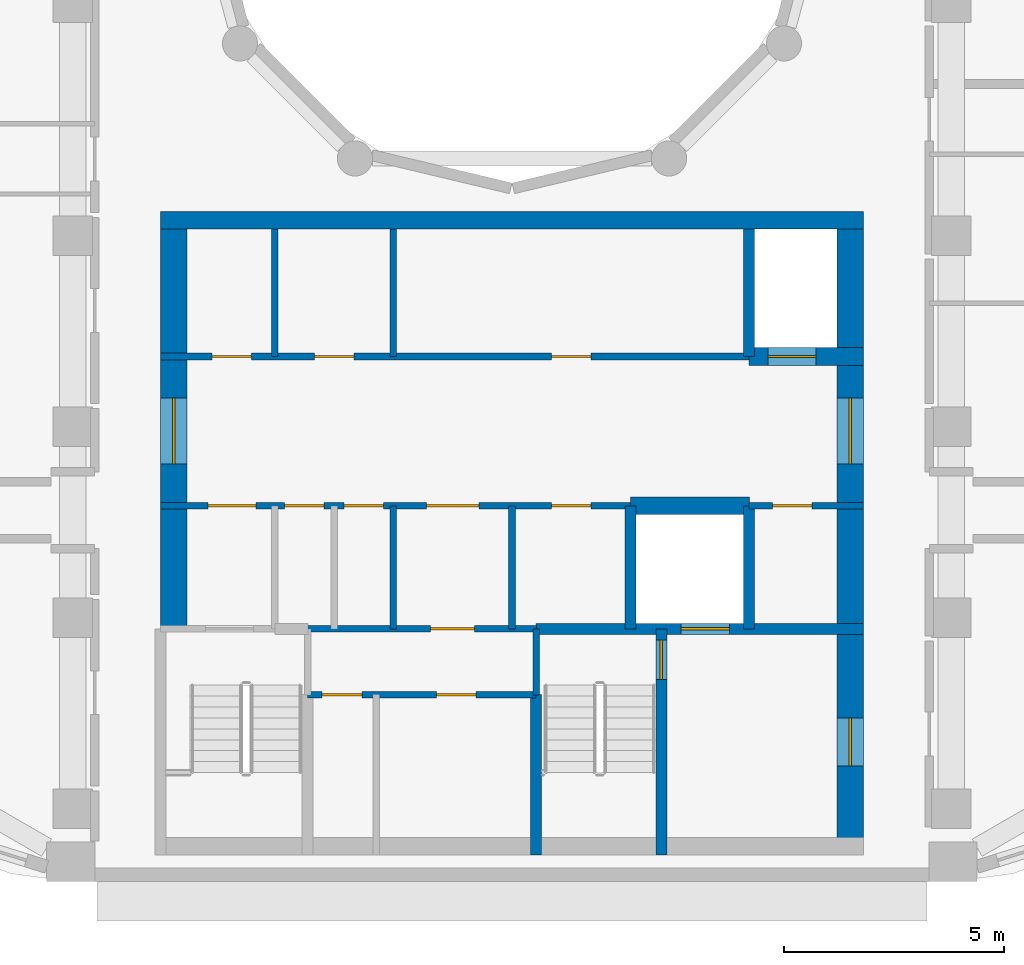
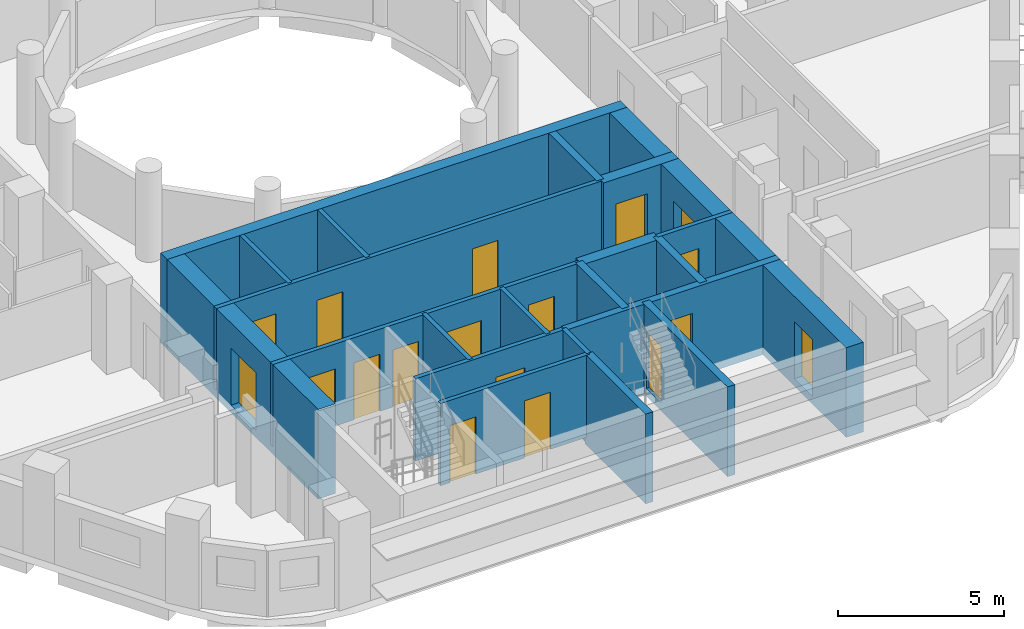
# One storey, part 3 of 14: 21 walls, 18 doors, 18 openings.
"""IFC4 building model written with IfcOpenShell, lengths in metres."""

from ifc_helpers import new_model, si_unit, direction, frame, frame_2d, origin, place, context, subcontext, project, spatial, rectangle, extrude, material, layer, layer_set, type_object, element, fill, save


model = new_model("IFC4")

# Units and contexts
model_context = context("Model", 3, precision=1e-05, world=origin(), true_north=direction((0.0, 1.0)))
body_context = subcontext(model_context, "Body", "Model", "MODEL_VIEW")
ifc_project = project(units=[si_unit("LENGTHUNIT", "METRE"), si_unit("AREAUNIT", "SQUARE_METRE"), si_unit("VOLUMEUNIT", "CUBIC_METRE"), si_unit("PLANEANGLEUNIT", "RADIAN"), si_unit("MASSUNIT", "GRAM", prefix="KILO")], contexts=[model_context])

# Site, building, storey
site_placement = place(None, origin())
site = spatial("IfcSite", under=ifc_project, at=site_placement, CompositionType="ELEMENT")
building_placement = place(site_placement, origin())
building = spatial("IfcBuilding", under=site, at=building_placement, Name="Nakaniwa Court", CompositionType="ELEMENT")
storey_placement = place(building_placement, frame((0.0, 0.0, 262.5)))
storey = spatial("IfcBuildingStorey", under=building, at=storey_placement, Name="L69", CompositionType="ELEMENT", Elevation=262.5)

# Wall
ifc_material_1 = material(Name="Blockwork partition", Category="masonry")
ifc_layer_1 = layer(ifc_material_1, 0.14990234375)
ifc_layer_set_1 = layer_set([ifc_layer_1], Name="Blockwork partition")
wall_type_1 = type_object("IfcWallType", Name="Blockwork partition 150", PredefinedType="PARTITIONING", material=ifc_layer_set_1)
wall_1_placement = place(storey_placement, frame((74.60009765625, 69.300048828125, 0.0), z_axis=(0.0, 0.0, 1.0), x_axis=(0.0, 1.0, 0.0)))
element("IfcWall", 1, at=wall_1_placement, inside=storey, type_object=wall_type_1, Name="Partition PW-030", PredefinedType="PARTITIONING", context=body_context, shape_type="SweptSolid", body=[
    extrude(rectangle(XDim=2.89990234375, YDim=0.14990234375, at=frame_2d((1.449951171875, 0.0))), origin(), (0.0, 0.0, 1.0), 3.02490234375),
])

# Wall, openings, doors
wall_2_placement = place(storey_placement, frame((72.0, 69.300048828125, 0.0), z_axis=(0.0, 0.0, 1.0), x_axis=(1.0, 0.0, 0.0)))
wall_2 = element("IfcWall", 2, at=wall_2_placement, inside=storey, type_object=wall_type_1, Name="Partition PW-031", PredefinedType="PARTITIONING", context=body_context, shape_type="SweptSolid", body=[
    extrude(rectangle(XDim=13.39990234375, YDim=0.14990234375, at=frame_2d((6.699951171875, 0.0))), origin(), (0.0, 0.0, 1.0), 3.02490234375),
])
opening_1_placement = place(wall_2_placement, frame((1.175048828125, 0.0, 0.0)))
opening_1 = element("IfcOpeningElement", 3, at=opening_1_placement, cuts=wall_2, Name="Opening D-05-10", PredefinedType="OPENING", context=body_context, shape_type="SweptSolid", body=[
    extrude(rectangle(XDim=0.89990234375, YDim=2.10009765625, at=frame_2d((0.449951171875, 1.050048828125))), frame((0.0, 0.0849609375, 0.0), z_axis=(0.0, -1.0, 0.0), x_axis=(1.0, 0.0, 0.0)), (0.0, 0.0, 1.0), 0.169921875),
])
opening_2_placement = place(wall_2_placement, frame((3.5, 0.0, 0.0)))
opening_2 = element("IfcOpeningElement", 4, at=opening_2_placement, cuts=wall_2, Name="Opening D-05-11", PredefinedType="OPENING", context=body_context, shape_type="SweptSolid", body=[
    extrude(rectangle(XDim=0.89990234375, YDim=2.10009765625, at=frame_2d((0.449951171875, 1.050048828125))), frame((0.0, 0.0849609375, 0.0), z_axis=(0.0, -1.0, 0.0), x_axis=(1.0, 0.0, 0.0)), (0.0, 0.0, 1.0), 0.169921875),
])
opening_3_placement = place(wall_2_placement, frame((8.89990234375, 0.0, 0.0)))
opening_3 = element("IfcOpeningElement", 5, at=opening_3_placement, cuts=wall_2, Name="Opening D-05-12", PredefinedType="OPENING", context=body_context, shape_type="SweptSolid", body=[
    extrude(rectangle(XDim=0.89990234375, YDim=2.10009765625, at=frame_2d((0.449951171875, 1.050048828125))), frame((0.0, 0.0849609375, 0.0), z_axis=(0.0, -1.0, 0.0), x_axis=(1.0, 0.0, 0.0)), (0.0, 0.0, 1.0), 0.169921875),
])
ifc_material_2 = material(Name="Fire rated steel door set", Category="steel")
door_type_1 = type_object("IfcDoorType", Name="Service room door 900", OperationType="NOTDEFINED", PredefinedType="DOOR", material=ifc_material_2)
door_1_placement = place(opening_1_placement, origin())
door_1 = element("IfcDoor", 6, at=door_1_placement, inside=storey, type_object=door_type_1, Name="Door D-05-10 L69-015", OperationType="SINGLE_SWING_RIGHT", OverallHeight=2.10009765625, OverallWidth=0.89990234375, PredefinedType="DOOR", context=body_context, shape_type="SweptSolid", body=[
    extrude(rectangle(XDim=0.89990234375, YDim=2.10009765625, at=frame_2d((0.449951171875, 1.050048828125))), frame((0.0, 0.02490234375, 0.0), z_axis=(0.0, -1.0, 0.0), x_axis=(1.0, 0.0, 0.0)), (0.0, 0.0, 1.0), 0.050048828125),
])
fill(opening_1, door_1)
door_2_placement = place(opening_2_placement, origin())
door_2 = element("IfcDoor", 7, at=door_2_placement, inside=storey, type_object=door_type_1, Name="Door D-05-11 L69-016", OperationType="SINGLE_SWING_LEFT", OverallHeight=2.10009765625, OverallWidth=0.89990234375, PredefinedType="DOOR", context=body_context, shape_type="SweptSolid", body=[
    extrude(rectangle(XDim=0.89990234375, YDim=2.10009765625, at=frame_2d((0.449951171875, 1.050048828125))), frame((0.0, 0.02490234375, 0.0), z_axis=(0.0, -1.0, 0.0), x_axis=(1.0, 0.0, 0.0)), (0.0, 0.0, 1.0), 0.050048828125),
])
fill(opening_2, door_2)
door_3_placement = place(opening_3_placement, origin())
door_3 = element("IfcDoor", 8, at=door_3_placement, inside=storey, type_object=door_type_1, Name="Door D-05-12 L69-017", OperationType="SINGLE_SWING_RIGHT", OverallHeight=2.10009765625, OverallWidth=0.89990234375, PredefinedType="DOOR", context=body_context, shape_type="SweptSolid", body=[
    extrude(rectangle(XDim=0.89990234375, YDim=2.10009765625, at=frame_2d((0.449951171875, 1.050048828125))), frame((0.0, 0.02490234375, 0.0), z_axis=(0.0, -1.0, 0.0), x_axis=(1.0, 0.0, 0.0)), (0.0, 0.0, 1.0), 0.050048828125),
])
fill(opening_3, door_3)

# Walls
wall_3_placement = place(storey_placement, frame((77.300048828125, 63.10009765625, 0.0), z_axis=(0.0, 0.0, 1.0), x_axis=(0.0, 1.0, 0.0)))
element("IfcWall", 9, at=wall_3_placement, inside=storey, type_object=wall_type_1, Name="Partition PW-037", PredefinedType="PARTITIONING", context=body_context, shape_type="SweptSolid", body=[
    extrude(rectangle(XDim=2.7998046875, YDim=0.14990234375, at=frame_2d((1.39990234375, 0.0))), origin(), (0.0, 0.0, 1.0), 3.02490234375),
])
wall_4_placement = place(storey_placement, frame((77.300048828125, 69.300048828125, 0.0), z_axis=(0.0, 0.0, 1.0), x_axis=(0.0, 1.0, 0.0)))
element("IfcWall", 10, at=wall_4_placement, inside=storey, type_object=wall_type_1, Name="Partition PW-038", PredefinedType="PARTITIONING", context=body_context, shape_type="SweptSolid", body=[
    extrude(rectangle(XDim=2.89990234375, YDim=0.14990234375, at=frame_2d((1.449951171875, 0.0))), origin(), (0.0, 0.0, 1.0), 3.02490234375),
])

# Wall, openings, doors
wall_5_placement = place(storey_placement, frame((82.702880859375, 65.89990234375, 0.0), z_axis=(0.0, 0.0, 1.0), x_axis=(-1.0, 0.0, 0.0)))
wall_5 = element("IfcWall", 11, at=wall_5_placement, inside=storey, type_object=wall_type_1, Name="Partition PW-039", PredefinedType="PARTITIONING", context=body_context, shape_type="SweptSolid", body=[
    extrude(rectangle(XDim=10.702880859375, YDim=0.14990234375, at=frame_2d((5.3515625, 0.0))), origin(), (0.0, 0.0, 1.0), 3.02490234375),
])
opening_4_placement = place(wall_5_placement, frame((8.528076171875, 0.0, 0.0)))
opening_4 = element("IfcOpeningElement", 12, at=opening_4_placement, cuts=wall_5, Name="Opening D-08-02", PredefinedType="OPENING", context=body_context, shape_type="SweptSolid", body=[
    extrude(rectangle(XDim=1.10009765625, YDim=2.10009765625, at=frame_2d((0.550048828125, 1.050048828125))), frame((0.0, 0.0849609375, 0.0), z_axis=(0.0, -1.0, 0.0), x_axis=(1.0, 0.0, 0.0)), (0.0, 0.0, 1.0), 0.169921875),
])
opening_5_placement = place(wall_5_placement, frame((6.97802734375, 0.0, 0.0)))
opening_5 = element("IfcOpeningElement", 13, at=opening_5_placement, cuts=wall_5, Name="Opening D-05-13", PredefinedType="OPENING", context=body_context, shape_type="SweptSolid", body=[
    extrude(rectangle(XDim=0.89990234375, YDim=2.10009765625, at=frame_2d((0.449951171875, 1.050048828125))), frame((0.0, 0.0849609375, 0.0), z_axis=(0.0, -1.0, 0.0), x_axis=(1.0, 0.0, 0.0)), (0.0, 0.0, 1.0), 0.169921875),
])
opening_6_placement = place(wall_5_placement, frame((5.6279296875, 0.0, 0.0)))
opening_6 = element("IfcOpeningElement", 14, at=opening_6_placement, cuts=wall_5, Name="Opening D-05-14", PredefinedType="OPENING", context=body_context, shape_type="SweptSolid", body=[
    extrude(rectangle(XDim=0.89990234375, YDim=2.10009765625, at=frame_2d((0.449951171875, 1.050048828125))), frame((0.0, 0.0849609375, 0.0), z_axis=(0.0, -1.0, 0.0), x_axis=(1.0, 0.0, 0.0)), (0.0, 0.0, 1.0), 0.169921875),
])
opening_7_placement = place(wall_5_placement, frame((3.452880859375, 0.0, 0.0)))
opening_7 = element("IfcOpeningElement", 15, at=opening_7_placement, cuts=wall_5, Name="Opening D-06-02", PredefinedType="OPENING", context=body_context, shape_type="SweptSolid", body=[
    extrude(rectangle(XDim=1.199951171875, YDim=2.10009765625, at=frame_2d((0.60009765625, 1.050048828125))), frame((0.0, 0.0849609375, 0.0), z_axis=(0.0, -1.0, 0.0), x_axis=(1.0, 0.0, 0.0)), (0.0, 0.0, 1.0), 0.169921875),
])
opening_8_placement = place(wall_5_placement, frame((0.903076171875, 0.0, 0.0)))
opening_8 = element("IfcOpeningElement", 16, at=opening_8_placement, cuts=wall_5, Name="Opening D-05-15", PredefinedType="OPENING", context=body_context, shape_type="SweptSolid", body=[
    extrude(rectangle(XDim=0.89990234375, YDim=2.10009765625, at=frame_2d((0.449951171875, 1.050048828125))), frame((0.0, 0.0849609375, 0.0), z_axis=(0.0, -1.0, 0.0), x_axis=(1.0, 0.0, 0.0)), (0.0, 0.0, 1.0), 0.169921875),
])
ifc_material_3 = material(Name="Fire rated steel double door set", Category="steel")
door_type_2 = type_object("IfcDoorType", Name="Service passage double door 1200", OperationType="NOTDEFINED", PredefinedType="DOOR", material=ifc_material_3)
door_4_placement = place(opening_7_placement, origin())
door_4 = element("IfcDoor", 17, at=door_4_placement, inside=storey, type_object=door_type_2, Name="Door D-06-02 L69-021", OperationType="DOUBLE_DOOR_SINGLE_SWING", OverallHeight=2.10009765625, OverallWidth=1.199951171875, PredefinedType="DOOR", context=body_context, shape_type="SweptSolid", body=[
    extrude(rectangle(XDim=1.199951171875, YDim=2.10009765625, at=frame_2d((0.60009765625, 1.050048828125))), frame((0.0, 0.02490234375, 0.0), z_axis=(0.0, -1.0, 0.0), x_axis=(1.0, 0.0, 0.0)), (0.0, 0.0, 1.0), 0.050048828125),
])
fill(opening_7, door_4)
door_5_placement = place(opening_5_placement, origin())
door_5 = element("IfcDoor", 18, at=door_5_placement, inside=storey, type_object=door_type_1, Name="Door D-05-13 L69-019", OperationType="SINGLE_SWING_RIGHT", OverallHeight=2.10009765625, OverallWidth=0.89990234375, PredefinedType="DOOR", context=body_context, shape_type="SweptSolid", body=[
    extrude(rectangle(XDim=0.89990234375, YDim=2.10009765625, at=frame_2d((0.449951171875, 1.050048828125))), frame((0.0, 0.02490234375, 0.0), z_axis=(0.0, -1.0, 0.0), x_axis=(1.0, 0.0, 0.0)), (0.0, 0.0, 1.0), 0.050048828125),
])
fill(opening_5, door_5)
door_6_placement = place(opening_6_placement, origin())
door_6 = element("IfcDoor", 19, at=door_6_placement, inside=storey, type_object=door_type_1, Name="Door D-05-14 L69-020", OperationType="SINGLE_SWING_LEFT", OverallHeight=2.10009765625, OverallWidth=0.89990234375, PredefinedType="DOOR", context=body_context, shape_type="SweptSolid", body=[
    extrude(rectangle(XDim=0.89990234375, YDim=2.10009765625, at=frame_2d((0.449951171875, 1.050048828125))), frame((0.0, 0.02490234375, 0.0), z_axis=(0.0, -1.0, 0.0), x_axis=(1.0, 0.0, 0.0)), (0.0, 0.0, 1.0), 0.050048828125),
])
fill(opening_6, door_6)
door_7_placement = place(opening_8_placement, origin())
door_7 = element("IfcDoor", 20, at=door_7_placement, inside=storey, type_object=door_type_1, Name="Door D-05-15 L69-022", OperationType="SINGLE_SWING_LEFT", OverallHeight=2.10009765625, OverallWidth=0.89990234375, PredefinedType="DOOR", context=body_context, shape_type="SweptSolid", body=[
    extrude(rectangle(XDim=0.89990234375, YDim=2.10009765625, at=frame_2d((0.449951171875, 1.050048828125))), frame((0.0, 0.02490234375, 0.0), z_axis=(0.0, -1.0, 0.0), x_axis=(1.0, 0.0, 0.0)), (0.0, 0.0, 1.0), 0.050048828125),
])
fill(opening_8, door_7)
door_type_3 = type_object("IfcDoorType", Name="Stair lobby door 1100", OperationType="NOTDEFINED", PredefinedType="DOOR", material=ifc_material_2)
door_8_placement = place(opening_4_placement, origin())
door_8 = element("IfcDoor", 21, at=door_8_placement, inside=storey, type_object=door_type_3, Name="Door D-08-02 L69-018", OperationType="SINGLE_SWING_LEFT", OverallHeight=2.10009765625, OverallWidth=1.10009765625, PredefinedType="DOOR", context=body_context, shape_type="SweptSolid", body=[
    extrude(rectangle(XDim=1.10009765625, YDim=2.10009765625, at=frame_2d((0.550048828125, 1.050048828125))), frame((0.0, 0.02490234375, 0.0), z_axis=(0.0, -1.0, 0.0), x_axis=(1.0, 0.0, 0.0)), (0.0, 0.0, 1.0), 0.050048828125),
])
fill(opening_4, door_8)

# Wall, opening, door
wall_6_placement = place(storey_placement, frame((88.0, 65.89990234375, 0.0), z_axis=(0.0, 0.0, 1.0), x_axis=(-1.0, 0.0, 0.0)))
wall_6 = element("IfcWall", 22, at=wall_6_placement, inside=storey, type_object=wall_type_1, Name="Partition PW-040", PredefinedType="PARTITIONING", context=body_context, shape_type="SweptSolid", body=[
    extrude(rectangle(XDim=2.60302734375, YDim=0.14990234375, at=frame_2d((1.301513671875, 0.0))), origin(), (0.0, 0.0, 1.0), 3.02490234375),
])
opening_9_placement = place(wall_6_placement, frame((1.175048828125, 0.0, 0.0)))
opening_9 = element("IfcOpeningElement", 23, at=opening_9_placement, cuts=wall_6, Name="Opening D-05-16", PredefinedType="OPENING", context=body_context, shape_type="SweptSolid", body=[
    extrude(rectangle(XDim=0.89990234375, YDim=2.10009765625, at=frame_2d((0.449951171875, 1.050048828125))), frame((0.0, 0.0849609375, 0.0), z_axis=(0.0, -1.0, 0.0), x_axis=(1.0, 0.0, 0.0)), (0.0, 0.0, 1.0), 0.169921875),
])
door_9_placement = place(opening_9_placement, origin())
door_9 = element("IfcDoor", 24, at=door_9_placement, inside=storey, type_object=door_type_1, Name="Door D-05-16 L69-023", OperationType="SINGLE_SWING_RIGHT", OverallHeight=2.10009765625, OverallWidth=0.89990234375, PredefinedType="DOOR", context=body_context, shape_type="SweptSolid", body=[
    extrude(rectangle(XDim=0.89990234375, YDim=2.10009765625, at=frame_2d((0.449951171875, 1.050048828125))), frame((0.0, 0.02490234375, 0.0), z_axis=(0.0, -1.0, 0.0), x_axis=(1.0, 0.0, 0.0)), (0.0, 0.0, 1.0), 0.050048828125),
])
fill(opening_9, door_9)

wall_7_placement = place(storey_placement, frame((80.552978515625, 63.10009765625, 0.0), z_axis=(0.0, 0.0, 1.0), x_axis=(-1.0, 0.0, 0.0)))
wall_7 = element("IfcWall", 25, at=wall_7_placement, inside=storey, type_object=wall_type_1, Name="Partition PW-046", PredefinedType="PARTITIONING", context=body_context, shape_type="SweptSolid", body=[
    extrude(rectangle(XDim=5.2060546875, YDim=0.14990234375, at=frame_2d((2.60302734375, 0.0))), origin(), (0.0, 0.0, 1.0), 3.02490234375),
])
opening_10_placement = place(wall_7_placement, frame((1.403076171875, 0.0, 0.0)))
opening_10 = element("IfcOpeningElement", 26, at=opening_10_placement, cuts=wall_7, Name="Opening D-23-02", PredefinedType="OPENING", context=body_context, shape_type="SweptSolid", body=[
    extrude(rectangle(XDim=1.0, YDim=2.10009765625, at=frame_2d((0.5, 1.050048828125))), frame((0.0, 0.0849609375, 0.0), z_axis=(0.0, -1.0, 0.0), x_axis=(1.0, 0.0, 0.0)), (0.0, 0.0, 1.0), 0.169921875),
])
door_type_4 = type_object("IfcDoorType", Name="Service room door 1000", OperationType="NOTDEFINED", PredefinedType="DOOR", material=ifc_material_2)
door_10_placement = place(opening_10_placement, origin())
door_10 = element("IfcDoor", 27, at=door_10_placement, inside=storey, type_object=door_type_4, Name="Door D-23-02 L69-024", OperationType="SINGLE_SWING_LEFT", OverallHeight=2.10009765625, OverallWidth=1.0, PredefinedType="DOOR", context=body_context, shape_type="SweptSolid", body=[
    extrude(rectangle(XDim=1.0, YDim=2.10009765625, at=frame_2d((0.5, 1.050048828125))), frame((0.0, 0.02490234375, 0.0), z_axis=(0.0, -1.0, 0.0), x_axis=(1.0, 0.0, 0.0)), (0.0, 0.0, 1.0), 0.050048828125),
])
fill(opening_10, door_10)

# Wall
wall_8_placement = place(storey_placement, frame((80.0, 63.10009765625, 0.0), z_axis=(0.0, 0.0, 1.0), x_axis=(0.0, 1.0, 0.0)))
element("IfcWall", 28, at=wall_8_placement, inside=storey, type_object=wall_type_1, Name="Partition PW-047", PredefinedType="PARTITIONING", context=body_context, shape_type="SweptSolid", body=[
    extrude(rectangle(XDim=2.7998046875, YDim=0.14990234375, at=frame_2d((1.39990234375, 0.0))), origin(), (0.0, 0.0, 1.0), 3.02490234375),
])

# Wall, openings, doors
wall_9_placement = place(storey_placement, frame((80.550048828125, 61.60009765625, 0.0), z_axis=(0.0, 0.0, 1.0), x_axis=(-1.0, 0.0, 0.0)))
wall_9 = element("IfcWall", 29, at=wall_9_placement, inside=storey, type_object=wall_type_1, Name="Partition PW-055", PredefinedType="PARTITIONING", context=body_context, shape_type="SweptSolid", body=[
    extrude(rectangle(XDim=5.199951171875, YDim=0.14990234375, at=frame_2d((2.60009765625, 0.0))), origin(), (0.0, 0.0, 1.0), 3.02490234375),
])
opening_11_placement = place(wall_9_placement, frame((3.969970703125, 0.0, 0.0)))
opening_11 = element("IfcOpeningElement", 30, at=opening_11_placement, cuts=wall_9, Name="Opening D-05-17", PredefinedType="OPENING", context=body_context, shape_type="SweptSolid", body=[
    extrude(rectangle(XDim=0.89990234375, YDim=2.10009765625, at=frame_2d((0.449951171875, 1.050048828125))), frame((0.0, 0.0849609375, 0.0), z_axis=(0.0, -1.0, 0.0), x_axis=(1.0, 0.0, 0.0)), (0.0, 0.0, 1.0), 0.169921875),
])
opening_12_placement = place(wall_9_placement, frame((1.3701171875, 0.0, 0.0)))
opening_12 = element("IfcOpeningElement", 31, at=opening_12_placement, cuts=wall_9, Name="Opening D-05-18", PredefinedType="OPENING", context=body_context, shape_type="SweptSolid", body=[
    extrude(rectangle(XDim=0.89990234375, YDim=2.10009765625, at=frame_2d((0.449951171875, 1.050048828125))), frame((0.0, 0.0849609375, 0.0), z_axis=(0.0, -1.0, 0.0), x_axis=(1.0, 0.0, 0.0)), (0.0, 0.0, 1.0), 0.169921875),
])
door_11_placement = place(opening_11_placement, origin())
door_11 = element("IfcDoor", 32, at=door_11_placement, inside=storey, type_object=door_type_1, Name="Door D-05-17 L69-025", OperationType="SINGLE_SWING_RIGHT", OverallHeight=2.10009765625, OverallWidth=0.89990234375, PredefinedType="DOOR", context=body_context, shape_type="SweptSolid", body=[
    extrude(rectangle(XDim=0.89990234375, YDim=2.10009765625, at=frame_2d((0.449951171875, 1.050048828125))), frame((0.0, 0.02490234375, 0.0), z_axis=(0.0, -1.0, 0.0), x_axis=(1.0, 0.0, 0.0)), (0.0, 0.0, 1.0), 0.050048828125),
])
fill(opening_11, door_11)
door_12_placement = place(opening_12_placement, origin())
door_12 = element("IfcDoor", 33, at=door_12_placement, inside=storey, type_object=door_type_1, Name="Door D-05-18 L69-026", OperationType="SINGLE_SWING_LEFT", OverallHeight=2.10009765625, OverallWidth=0.89990234375, PredefinedType="DOOR", context=body_context, shape_type="SweptSolid", body=[
    extrude(rectangle(XDim=0.89990234375, YDim=2.10009765625, at=frame_2d((0.449951171875, 1.050048828125))), frame((0.0, 0.02490234375, 0.0), z_axis=(0.0, -1.0, 0.0), x_axis=(1.0, 0.0, 0.0)), (0.0, 0.0, 1.0), 0.050048828125),
])
fill(opening_12, door_12)

# Wall, opening, door
ifc_material_4 = material(Name="Concrete C80/100", Category="concrete")
ifc_layer_2 = layer(ifc_material_4, 0.60009765625)
ifc_layer_set_2 = layer_set([ifc_layer_2], Name="Concrete C80/100")
wall_type_2 = type_object("IfcWallType", Name="Concrete core side wall 600 C80", PredefinedType="SHEAR", material=ifc_layer_set_2)
wall_10_placement = place(storey_placement, frame((72.300048828125, 63.10009765625, -0.27490234375), z_axis=(0.0, 0.0, 1.0), x_axis=(0.0, 1.0, 0.0)))
wall_10 = element("IfcWall", 34, at=wall_10_placement, inside=storey, type_object=wall_type_2, Name="Core wall SW-32", PredefinedType="SHEAR", context=body_context, shape_type="SweptSolid", body=[
    extrude(rectangle(XDim=9.099853515625, YDim=0.60009765625, at=frame_2d((4.5498046875, 0.0))), origin(), (0.0, 0.0, 1.0), 3.2998046875),
])
opening_13_placement = place(wall_10_placement, frame((3.75, 0.0, 0.27490234375)))
opening_13 = element("IfcOpeningElement", 35, at=opening_13_placement, cuts=wall_10, Name="Opening D-07-04", PredefinedType="OPENING", context=body_context, shape_type="SweptSolid", body=[
    extrude(rectangle(XDim=1.5, YDim=2.10009765625, at=frame_2d((0.75, 1.050048828125))), frame((0.0, 0.31005859375, 0.0), z_axis=(0.0, -1.0, 0.0), x_axis=(1.0, 0.0, 0.0)), (0.0, 0.0, 1.0), 0.6201171875),
])
ifc_material_5 = material(Name="Glazed fire rated steel double door set", Category="steel")
door_type_5 = type_object("IfcDoorType", Name="Lobby double door 1500", OperationType="NOTDEFINED", PredefinedType="DOOR", material=ifc_material_5)
door_13_placement = place(opening_13_placement, origin())
door_13 = element("IfcDoor", 36, at=door_13_placement, inside=storey, type_object=door_type_5, Name="Door D-07-04 L69-063", OperationType="DOUBLE_DOOR_SINGLE_SWING", OverallHeight=2.10009765625, OverallWidth=1.5, PredefinedType="DOOR", context=body_context, shape_type="SweptSolid", body=[
    extrude(rectangle(XDim=1.5, YDim=2.10009765625, at=frame_2d((0.75, 1.050048828125))), frame((0.0, 0.02490234375, 0.0), z_axis=(0.0, -1.0, 0.0), x_axis=(1.0, 0.0, 0.0)), (0.0, 0.0, 1.0), 0.050048828125),
])
fill(opening_13, door_13)

# Wall, openings, doors
wall_11_placement = place(storey_placement, frame((87.699951171875, 72.199951171875, -0.27490234375), z_axis=(0.0, 0.0, 1.0), x_axis=(0.0, -1.0, 0.0)))
wall_11 = element("IfcWall", 37, at=wall_11_placement, inside=storey, type_object=wall_type_2, Name="Core wall SW-36", PredefinedType="SHEAR", context=body_context, shape_type="SweptSolid", body=[
    extrude(rectangle(XDim=14.25, YDim=0.60009765625, at=frame_2d((7.125, 0.0))), origin(), (0.0, 0.0, 1.0), 3.2998046875),
])
opening_14_placement = place(wall_11_placement, frame((3.85009765625, 0.0, 0.27490234375)))
opening_14 = element("IfcOpeningElement", 38, at=opening_14_placement, cuts=wall_11, Name="Opening D-07-03", PredefinedType="OPENING", context=body_context, shape_type="SweptSolid", body=[
    extrude(rectangle(XDim=1.5, YDim=2.10009765625, at=frame_2d((0.75, 1.050048828125))), frame((0.0, 0.31005859375, 0.0), z_axis=(0.0, -1.0, 0.0), x_axis=(1.0, 0.0, 0.0)), (0.0, 0.0, 1.0), 0.6201171875),
])
opening_15_placement = place(wall_11_placement, frame((11.125, 0.0, 0.27490234375)))
opening_15 = element("IfcOpeningElement", 39, at=opening_15_placement, cuts=wall_11, Name="Opening D-10-02", PredefinedType="OPENING", context=body_context, shape_type="SweptSolid", body=[
    extrude(rectangle(XDim=1.10009765625, YDim=2.10009765625, at=frame_2d((0.550048828125, 1.050048828125))), frame((0.0, 0.31005859375, 0.0), z_axis=(0.0, -1.0, 0.0), x_axis=(1.0, 0.0, 0.0)), (0.0, 0.0, 1.0), 0.6201171875),
])
door_type_6 = type_object("IfcDoorType", Name="Firefighting lobby door 1100", OperationType="NOTDEFINED", PredefinedType="DOOR", material=ifc_material_2)
door_14_placement = place(opening_15_placement, origin())
door_14 = element("IfcDoor", 40, at=door_14_placement, inside=storey, type_object=door_type_6, Name="Door D-10-02 L69-064", OperationType="SINGLE_SWING_LEFT", OverallHeight=2.10009765625, OverallWidth=1.10009765625, PredefinedType="DOOR", context=body_context, shape_type="SweptSolid", body=[
    extrude(rectangle(XDim=1.10009765625, YDim=2.10009765625, at=frame_2d((0.550048828125, 1.050048828125))), frame((0.0, 0.02490234375, 0.0), z_axis=(0.0, -1.0, 0.0), x_axis=(1.0, 0.0, 0.0)), (0.0, 0.0, 1.0), 0.050048828125),
])
fill(opening_15, door_14)
door_15_placement = place(opening_14_placement, origin())
door_15 = element("IfcDoor", 41, at=door_15_placement, inside=storey, type_object=door_type_5, Name="Door D-07-03 L69-062", OperationType="DOUBLE_DOOR_SINGLE_SWING", OverallHeight=2.10009765625, OverallWidth=1.5, PredefinedType="DOOR", context=body_context, shape_type="SweptSolid", body=[
    extrude(rectangle(XDim=1.5, YDim=2.10009765625, at=frame_2d((0.75, 1.050048828125))), frame((0.0, 0.02490234375, 0.0), z_axis=(0.0, -1.0, 0.0), x_axis=(1.0, 0.0, 0.0)), (0.0, 0.0, 1.0), 0.050048828125),
])
fill(opening_14, door_15)

# Wall, opening, door
ifc_layer_3 = layer(ifc_material_4, 0.39990234375)
ifc_layer_set_3 = layer_set([ifc_layer_3], Name="Concrete C80/100")
wall_type_3 = type_object("IfcWallType", Name="Concrete core spine wall 400 C80", PredefinedType="SHEAR", material=ifc_layer_set_3)
wall_12_placement = place(storey_placement, frame((85.39990234375, 69.300048828125, -0.27490234375), z_axis=(0.0, 0.0, 1.0), x_axis=(1.0, 0.0, 0.0)))
wall_12 = element("IfcWall", 42, at=wall_12_placement, inside=storey, type_object=wall_type_3, Name="Core wall SW-35", PredefinedType="SHEAR", context=body_context, shape_type="SweptSolid", body=[
    extrude(rectangle(XDim=2.60009765625, YDim=0.39990234375, at=frame_2d((1.300048828125, 0.0))), origin(), (0.0, 0.0, 1.0), 3.2998046875),
])
opening_16_placement = place(wall_12_placement, frame((0.425048828125, 0.0, 0.27490234375)))
opening_16 = element("IfcOpeningElement", 43, at=opening_16_placement, cuts=wall_12, Name="Opening LD03", PredefinedType="OPENING", context=body_context, shape_type="SweptSolid", body=[
    extrude(rectangle(XDim=1.10009765625, YDim=2.10009765625, at=frame_2d((0.550048828125, 1.050048828125))), frame((0.0, 0.2099609375, 0.0), z_axis=(0.0, -1.0, 0.0), x_axis=(1.0, 0.0, 0.0)), (0.0, 0.0, 1.0), 0.419921875),
])
ifc_material_6 = material(Name="Stainless steel sliding lift landing door", Category="steel")
door_type_7 = type_object("IfcDoorType", Name="Lift landing door 1100", OperationType="NOTDEFINED", PredefinedType="DOOR", material=ifc_material_6)
door_16_placement = place(opening_16_placement, origin())
door_16 = element("IfcDoor", 44, at=door_16_placement, inside=storey, type_object=door_type_7, Name="Lift landing door LD03 L69-003", OperationType="SLIDING_TO_LEFT", OverallHeight=2.10009765625, OverallWidth=1.10009765625, PredefinedType="DOOR", context=body_context, shape_type="SweptSolid", body=[
    extrude(rectangle(XDim=1.10009765625, YDim=2.10009765625, at=frame_2d((0.550048828125, 1.050048828125))), frame((0.0, 0.02490234375, 0.0), z_axis=(0.0, -1.0, 0.0), x_axis=(1.0, 0.0, 0.0)), (0.0, 0.0, 1.0), 0.050048828125),
])
fill(opening_16, door_16)

# Walls
wall_13_placement = place(storey_placement, frame((82.697021484375, 65.89990234375, -0.27490234375), z_axis=(0.0, 0.0, 1.0), x_axis=(1.0, 0.0, 0.0)))
element("IfcWall", 45, at=wall_13_placement, inside=storey, type_object=wall_type_3, Name="Core wall SW-41", PredefinedType="SHEAR", context=body_context, shape_type="SweptSolid", body=[
    extrude(rectangle(XDim=2.7060546875, YDim=0.39990234375, at=frame_2d((1.35302734375, 0.0))), origin(), (0.0, 0.0, 1.0), 3.2998046875),
])
ifc_layer_4 = layer(ifc_material_4, 0.14990234375)
ifc_layer_set_4 = layer_set([ifc_layer_4], Name="Concrete C80/100")
wall_type_4 = type_object("IfcWallType", Name="Concrete core wall 150 C80", PredefinedType="SHEAR", material=ifc_layer_set_4)
wall_14_placement = place(storey_placement, frame((80.550048828125, 61.596923828125, -0.27490234375), z_axis=(0.0, 0.0, 1.0), x_axis=(0.0, 1.0, 0.0)))
element("IfcWall", 46, at=wall_14_placement, inside=storey, type_object=wall_type_4, Name="Core wall SW-53", PredefinedType="SHEAR", context=body_context, shape_type="SweptSolid", body=[
    extrude(rectangle(XDim=1.503173828125, YDim=0.14990234375, at=frame_2d((0.75146484375, 0.0))), origin(), (0.0, 0.0, 1.0), 3.2998046875),
])
ifc_layer_5 = layer(ifc_material_4, 0.39990234375)
ifc_layer_set_5 = layer_set([ifc_layer_5], Name="Concrete C80/100")
wall_type_5 = type_object("IfcWallType", Name="Concrete core well wall 400 C80", PredefinedType="SHEAR", material=ifc_layer_set_5)
wall_15_placement = place(storey_placement, frame((72.00390625, 72.39990234375, -0.27490234375), z_axis=(0.0, 0.0, 1.0), x_axis=(1.0, 0.0, 0.0)))
element("IfcWall", 47, at=wall_15_placement, inside=storey, type_object=wall_type_5, Name="Core wall SW-128", PredefinedType="SHEAR", context=body_context, shape_type="SweptSolid", body=[
    extrude(rectangle(XDim=15.9921875, YDim=0.39990234375, at=frame_2d((7.99609375, 0.0))), origin(), (0.0, 0.0, 1.0), 3.2998046875),
])
ifc_layer_6 = layer(ifc_material_4, 0.25)
ifc_layer_set_6 = layer_set([ifc_layer_6], Name="Concrete C80/100")
wall_type_6 = type_object("IfcWallType", Name="Concrete shaft wall 250 C80", PredefinedType="SHEAR", material=ifc_layer_set_6)
wall_16_placement = place(storey_placement, frame((85.39990234375, 63.10009765625, -0.27490234375), z_axis=(0.0, 0.0, 1.0), x_axis=(0.0, 1.0, 0.0)))
element("IfcWall", 48, at=wall_16_placement, inside=storey, type_object=wall_type_6, Name="Core wall SW-33", PredefinedType="SHEAR", context=body_context, shape_type="SweptSolid", body=[
    extrude(rectangle(XDim=2.7998046875, YDim=0.25, at=frame_2d((1.39990234375, 0.0))), origin(), (0.0, 0.0, 1.0), 3.2998046875),
])
wall_17_placement = place(storey_placement, frame((85.39990234375, 69.300048828125, -0.27490234375), z_axis=(0.0, 0.0, 1.0), x_axis=(0.0, 1.0, 0.0)))
element("IfcWall", 49, at=wall_17_placement, inside=storey, type_object=wall_type_6, Name="Core wall SW-34", PredefinedType="SHEAR", context=body_context, shape_type="SweptSolid", body=[
    extrude(rectangle(XDim=2.89990234375, YDim=0.25, at=frame_2d((1.449951171875, 0.0))), origin(), (0.0, 0.0, 1.0), 3.2998046875),
])

# Wall, opening, door
wall_18_placement = place(storey_placement, frame((80.547119140625, 63.10009765625, -0.27490234375), z_axis=(0.0, 0.0, 1.0), x_axis=(1.0, 0.0, 0.0)))
wall_18 = element("IfcWall", 50, at=wall_18_placement, inside=storey, type_object=wall_type_6, Name="Core wall SW-45", PredefinedType="SHEAR", context=body_context, shape_type="SweptSolid", body=[
    extrude(rectangle(XDim=7.452880859375, YDim=0.25, at=frame_2d((3.7265625, 0.0))), origin(), (0.0, 0.0, 1.0), 3.2998046875),
])
opening_17_placement = place(wall_18_placement, frame((3.302001953125, 0.0, 0.27490234375)))
opening_17 = element("IfcOpeningElement", 51, at=opening_17_placement, cuts=wall_18, Name="Opening LD04", PredefinedType="OPENING", context=body_context, shape_type="SweptSolid", body=[
    extrude(rectangle(XDim=1.10009765625, YDim=2.10009765625, at=frame_2d((0.550048828125, 1.050048828125))), frame((0.0, 0.135009765625, 0.0), z_axis=(0.0, -1.0, 0.0), x_axis=(1.0, 0.0, 0.0)), (0.0, 0.0, 1.0), 0.27001953125),
])
door_17_placement = place(opening_17_placement, origin())
door_17 = element("IfcDoor", 52, at=door_17_placement, inside=storey, type_object=door_type_7, Name="Lift landing door LD04 L69-004", OperationType="SLIDING_TO_LEFT", OverallHeight=2.10009765625, OverallWidth=1.10009765625, PredefinedType="DOOR", context=body_context, shape_type="SweptSolid", body=[
    extrude(rectangle(XDim=1.10009765625, YDim=2.10009765625, at=frame_2d((0.550048828125, 1.050048828125))), frame((0.0, 0.02490234375, 0.0), z_axis=(0.0, -1.0, 0.0), x_axis=(1.0, 0.0, 0.0)), (0.0, 0.0, 1.0), 0.050048828125),
])
fill(opening_17, door_17)

# Wall
wall_19_placement = place(storey_placement, frame((82.699951171875, 63.10009765625, -0.27490234375), z_axis=(0.0, 0.0, 1.0), x_axis=(0.0, 1.0, 0.0)))
element("IfcWall", 53, at=wall_19_placement, inside=storey, type_object=wall_type_6, Name="Core wall SW-48", PredefinedType="SHEAR", context=body_context, shape_type="SweptSolid", body=[
    extrude(rectangle(XDim=2.7998046875, YDim=0.25, at=frame_2d((1.39990234375, 0.0))), origin(), (0.0, 0.0, 1.0), 3.2998046875),
])

# Wall, opening, door
wall_20_placement = place(storey_placement, frame((83.39990234375, 63.10009765625, -0.27490234375), z_axis=(0.0, 0.0, 1.0), x_axis=(0.0, -1.0, 0.0)))
wall_20 = element("IfcWall", 54, at=wall_20_placement, inside=storey, type_object=wall_type_6, Name="Core wall SW-52", PredefinedType="SHEAR", context=body_context, shape_type="SweptSolid", body=[
    extrude(rectangle(XDim=5.150146484375, YDim=0.25, at=frame_2d((2.5751953125, 0.0))), origin(), (0.0, 0.0, 1.0), 3.2998046875),
])
opening_18_placement = place(wall_20_placement, frame((0.25, 0.0, 0.27490234375)))
opening_18 = element("IfcOpeningElement", 55, at=opening_18_placement, cuts=wall_20, Name="Opening D-11-02", PredefinedType="OPENING", context=body_context, shape_type="SweptSolid", body=[
    extrude(rectangle(XDim=0.89990234375, YDim=2.10009765625, at=frame_2d((0.449951171875, 1.050048828125))), frame((0.0, 0.135009765625, 0.0), z_axis=(0.0, -1.0, 0.0), x_axis=(1.0, 0.0, 0.0)), (0.0, 0.0, 1.0), 0.27001953125),
])
door_type_8 = type_object("IfcDoorType", Name="Stair door 900", OperationType="NOTDEFINED", PredefinedType="DOOR", material=ifc_material_2)
door_18_placement = place(opening_18_placement, origin())
door_18 = element("IfcDoor", 56, at=door_18_placement, inside=storey, type_object=door_type_8, Name="Door D-11-02 L69-028", OperationType="SINGLE_SWING_RIGHT", OverallHeight=2.10009765625, OverallWidth=0.89990234375, PredefinedType="DOOR", context=body_context, shape_type="SweptSolid", body=[
    extrude(rectangle(XDim=0.89990234375, YDim=2.10009765625, at=frame_2d((0.449951171875, 1.050048828125))), frame((0.0, 0.02490234375, 0.0), z_axis=(0.0, -1.0, 0.0), x_axis=(1.0, 0.0, 0.0)), (0.0, 0.0, 1.0), 0.050048828125),
])
fill(opening_18, door_18)

# Wall
wall_21_placement = place(storey_placement, frame((80.550048828125, 57.949951171875, -0.27490234375), z_axis=(0.0, 0.0, 1.0), x_axis=(0.0, 1.0, 0.0)))
element("IfcWall", 57, at=wall_21_placement, inside=storey, type_object=wall_type_6, Name="Core wall SW-54", PredefinedType="SHEAR", context=body_context, shape_type="SweptSolid", body=[
    extrude(rectangle(XDim=3.653076171875, YDim=0.25, at=frame_2d((1.82666015625, 0.0))), origin(), (0.0, 0.0, 1.0), 3.2998046875),
])

save(model, "model.ifc")
